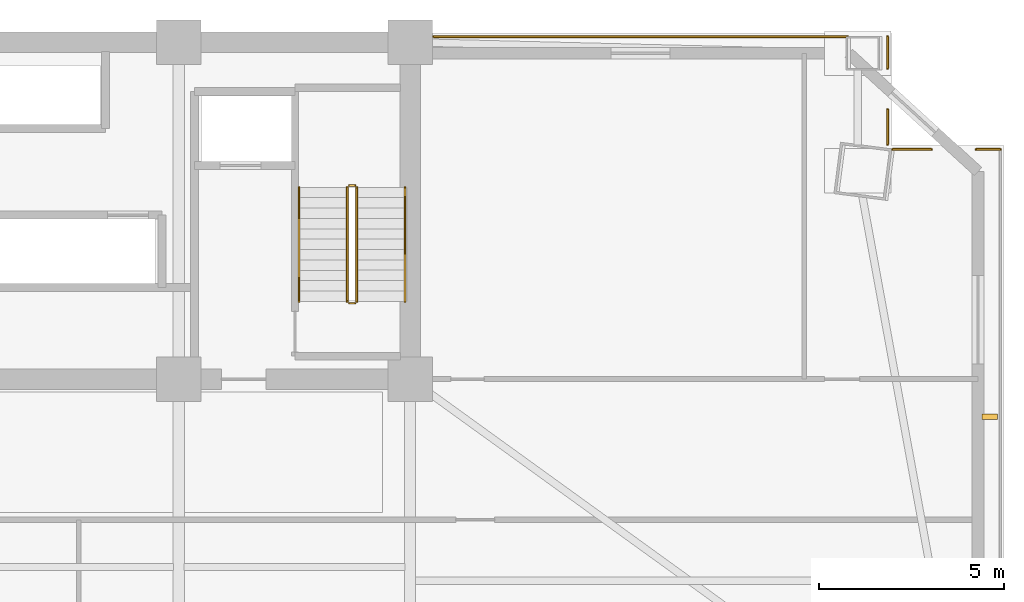
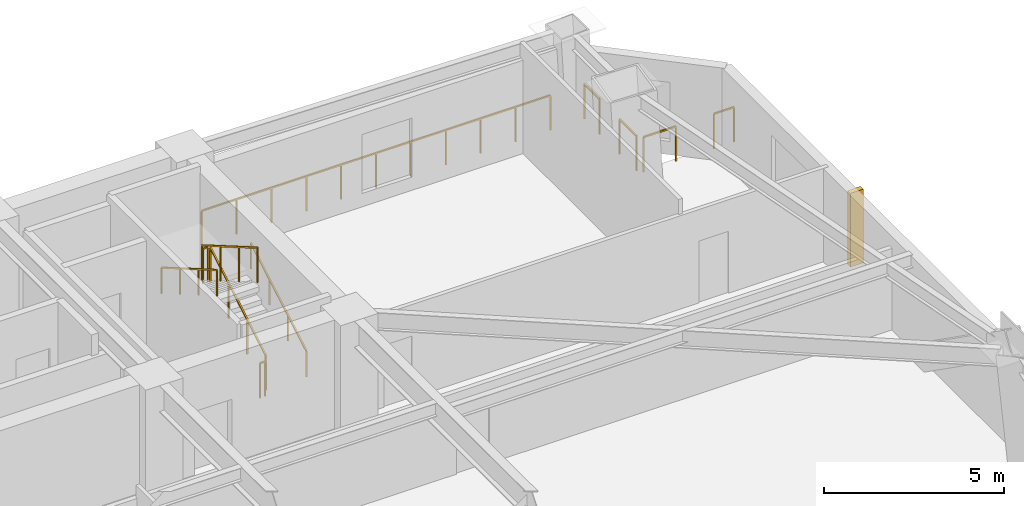
# One storey, part 15 of 15: 11 railings, 1 shading device.
"""IFC4 building model written with IfcOpenShell, lengths in metres."""

from ifc_helpers import new_model, si_unit, direction, frame, origin, origin_2d, place, context, subcontext, project, spatial, rectangle, extrude, source, transform, mapped, material, type_object, element, save


model = new_model("IFC4")

# Units and contexts
model_context = context("Model", 3, precision=1e-05, world=origin(), true_north=direction((0.0, 1.0)))
body_context = subcontext(model_context, "Body", "Model", "MODEL_VIEW")
ifc_project = project(units=[si_unit("LENGTHUNIT", "METRE"), si_unit("AREAUNIT", "SQUARE_METRE"), si_unit("VOLUMEUNIT", "CUBIC_METRE"), si_unit("PLANEANGLEUNIT", "RADIAN"), si_unit("MASSUNIT", "GRAM", prefix="KILO")], contexts=[model_context])

# Site, building, storey
site_placement = place(None, origin())
site = spatial("IfcSite", under=ifc_project, at=site_placement, CompositionType="ELEMENT")
building_placement = place(site_placement, origin())
building = spatial("IfcBuilding", under=site, at=building_placement, Name="Giltprow Tower", CompositionType="ELEMENT")
storey_placement = place(building_placement, frame((0.0, 0.0, 107.5)))
storey = spatial("IfcBuildingStorey", under=building, at=storey_placement, Name="L26", CompositionType="ELEMENT", Elevation=107.5)

# Railings
ifc_material = material(Name="Anodized bronze", Category="metal")
railing_type_1 = type_object("IfcRailingType", Name="RAIL-BALC-GUARD-1200", PredefinedType="BALUSTRADE", material=ifc_material)
railing_1_placement = place(storey_placement, frame((51.18505859375, 46.698974609375, 0.0)))
element("IfcRailing", 1, at=railing_1_placement, inside=storey, type_object=railing_type_1, Name="L26 Corner Apron Edge Balustrade 11", PredefinedType="BALUSTRADE", context=body_context, shape_type="SweptSolid", body=[
    extrude(rectangle(XDim=0.048095703125, YDim=0.048095703125, at=origin_2d()), frame((0.0, 0.0, 1.17578125), z_axis=(1.0, 0.0, 0.0), x_axis=(0.0, 1.0, 0.0)), (0.0, 0.0, 1.0), 11.177978515625),
    extrude(rectangle(XDim=0.0419921875, YDim=0.0419921875, at=origin_2d()), origin(), (0.0, 0.0, 1.0), 1.15185546875),
    extrude(rectangle(XDim=0.0419921875, YDim=0.0419921875, at=origin_2d()), frame((1.11767578125, 0.0, 0.0)), (0.0, 0.0, 1.0), 1.15185546875),
    extrude(rectangle(XDim=0.0419921875, YDim=0.0419921875, at=origin_2d()), frame((2.235595703125, 0.0, 0.0)), (0.0, 0.0, 1.0), 1.15185546875),
    extrude(rectangle(XDim=0.0419921875, YDim=0.0419921875, at=origin_2d()), frame((3.353515625, 0.0, 0.0)), (0.0, 0.0, 1.0), 1.15185546875),
    extrude(rectangle(XDim=0.0419921875, YDim=0.0419921875, at=origin_2d()), frame((4.47119140625, 0.0, 0.0)), (0.0, 0.0, 1.0), 1.15185546875),
    extrude(rectangle(XDim=0.0419921875, YDim=0.0419921875, at=origin_2d()), frame((5.5888671875, 0.0, 0.0)), (0.0, 0.0, 1.0), 1.15185546875),
    extrude(rectangle(XDim=0.0419921875, YDim=0.0419921875, at=origin_2d()), frame((6.706787109375, 0.0, 0.0)), (0.0, 0.0, 1.0), 1.15185546875),
    extrude(rectangle(XDim=0.0419921875, YDim=0.0419921875, at=origin_2d()), frame((7.824462890625, 0.0, 0.0)), (0.0, 0.0, 1.0), 1.15185546875),
    extrude(rectangle(XDim=0.0419921875, YDim=0.0419921875, at=origin_2d()), frame((8.9423828125, 0.0, 0.0)), (0.0, 0.0, 1.0), 1.15185546875),
    extrude(rectangle(XDim=0.0419921875, YDim=0.0419921875, at=origin_2d()), frame((10.06005859375, 0.0, 0.0)), (0.0, 0.0, 1.0), 1.15185546875),
    extrude(rectangle(XDim=0.0419921875, YDim=0.0419921875, at=origin_2d()), frame((11.177978515625, 0.0, 0.0)), (0.0, 0.0, 1.0), 1.15185546875),
])
railing_2_placement = place(storey_placement, frame((63.447998046875, 46.698974609375, 0.0)))
element("IfcRailing", 2, at=railing_2_placement, inside=storey, type_object=railing_type_1, Name="L26 Corner Apron Edge Balustrade 12", PredefinedType="BALUSTRADE", context=body_context, shape_type="SweptSolid", body=[
    extrude(rectangle(XDim=0.048095703125, YDim=0.048095703125, at=origin_2d()), frame((0.0, 0.0, 1.17578125), z_axis=(0.0, -1.0, 0.0), x_axis=(1.0, 0.0, 0.0)), (0.0, 0.0, 1.0), 0.85400390625),
    extrude(rectangle(XDim=0.0419921875, YDim=0.0419921875, at=origin_2d()), origin(), (0.0, 0.0, 1.0), 1.15185546875),
    extrude(rectangle(XDim=0.0419921875, YDim=0.0419921875, at=origin_2d()), frame((0.0, -0.85400390625, 0.0)), (0.0, 0.0, 1.0), 1.15185546875),
])
railing_3_placement = place(storey_placement, frame((63.447998046875, 44.73388671875, 0.0)))
element("IfcRailing", 3, at=railing_3_placement, inside=storey, type_object=railing_type_1, Name="L26 Corner Apron Edge Balustrade 13", PredefinedType="BALUSTRADE", context=body_context, shape_type="SweptSolid", body=[
    extrude(rectangle(XDim=0.048095703125, YDim=0.048095703125, at=origin_2d()), frame((0.0, 0.0, 1.17578125), z_axis=(0.0, -1.0, 0.0), x_axis=(1.0, 0.0, 0.0)), (0.0, 0.0, 1.0), 0.94287109375),
    extrude(rectangle(XDim=0.0419921875, YDim=0.0419921875, at=origin_2d()), origin(), (0.0, 0.0, 1.0), 1.15185546875),
    extrude(rectangle(XDim=0.0419921875, YDim=0.0419921875, at=origin_2d()), frame((0.0, -0.94287109375, 0.0)), (0.0, 0.0, 1.0), 1.15185546875),
])
railing_4_placement = place(storey_placement, frame((63.5830078125, 43.656005859375, 0.0)))
element("IfcRailing", 4, at=railing_4_placement, inside=storey, type_object=railing_type_1, Name="L26 Corner Apron Edge Balustrade 14", PredefinedType="BALUSTRADE", context=body_context, shape_type="SweptSolid", body=[
    extrude(rectangle(XDim=0.048095703125, YDim=0.048095703125, at=origin_2d()), frame((0.0, 0.0, 1.17578125), z_axis=(1.0, 0.0, 0.0), x_axis=(0.0, 1.0, 0.0)), (0.0, 0.0, 1.0), 1.0439453125),
    extrude(rectangle(XDim=0.0419921875, YDim=0.0419921875, at=origin_2d()), origin(), (0.0, 0.0, 1.0), 1.15185546875),
    extrude(rectangle(XDim=0.0419921875, YDim=0.0419921875, at=origin_2d()), frame((1.0439453125, 0.0, 0.0)), (0.0, 0.0, 1.0), 1.15185546875),
])
railing_5_placement = place(storey_placement, frame((65.842041015625, 43.656005859375, 0.0)))
element("IfcRailing", 5, at=railing_5_placement, inside=storey, type_object=railing_type_1, Name="L26 Corner Apron Edge Balustrade 15", PredefinedType="BALUSTRADE", context=body_context, shape_type="SweptSolid", body=[
    extrude(rectangle(XDim=0.048095703125, YDim=0.048095703125, at=origin_2d()), frame((0.0, 0.0, 1.17578125), z_axis=(1.0, 0.0, 0.0), x_axis=(0.0, 1.0, 0.0)), (0.0, 0.0, 1.0), 0.64892578125),
    extrude(rectangle(XDim=0.0419921875, YDim=0.0419921875, at=origin_2d()), origin(), (0.0, 0.0, 1.0), 1.15185546875),
    extrude(rectangle(XDim=0.0419921875, YDim=0.0419921875, at=origin_2d()), frame((0.64892578125, 0.0, 0.0)), (0.0, 0.0, 1.0), 1.15185546875),
])
railing_type_2 = type_object("IfcRailingType", Name="RAIL-STAIR-GUARD-1200", PredefinedType="GUARDRAIL", material=ifc_material)
railing_6_placement = place(storey_placement, frame((49.110107421875, 39.550048828125, 0.16259765625)))
element("IfcRailing", 6, at=railing_6_placement, inside=storey, type_object=railing_type_2, Name="L26 ST-3 stair guard 1", PredefinedType="GUARDRAIL", context=body_context, shape_type="SweptSolid", body=[
    extrude(rectangle(XDim=0.048095703125, YDim=0.048095703125, at=origin_2d()), frame((0.0, 0.0, 1.17578125), z_axis=(0.0, 0.864903211148, 0.501938676878), x_axis=(-1.0, 0.0, 0.0)), (0.0, 0.0, 1.0), 3.560791015625),
    extrude(rectangle(XDim=0.0419921875, YDim=0.0419921875, at=origin_2d()), origin(), (0.0, 0.0, 1.0), 1.15185546875),
    extrude(rectangle(XDim=0.0419921875, YDim=0.0419921875, at=origin_2d()), frame((0.0, 1.026611328125, 0.595703125)), (0.0, 0.0, 1.0), 1.15185546875),
    extrude(rectangle(XDim=0.0419921875, YDim=0.0419921875, at=origin_2d()), frame((0.0, 2.05322265625, 1.191650390625)), (0.0, 0.0, 1.0), 1.15185546875),
    extrude(rectangle(XDim=0.0419921875, YDim=0.0419921875, at=origin_2d()), frame((0.0, 3.079833984375, 1.787353515625)), (0.0, 0.0, 1.0), 1.15185546875),
])
railing_7_placement = place(storey_placement, frame((49.06005859375, 42.679931640625, 1.949951171875)))
element("IfcRailing", 7, at=railing_7_placement, inside=storey, type_object=railing_type_2, Name="L26 ST-3 stair guard 2", PredefinedType="GUARDRAIL", context=body_context, shape_type="SweptSolid", body=[
    extrude(rectangle(XDim=0.048095703125, YDim=0.048095703125, at=origin_2d()), frame((0.0, 0.0, 1.17578125), z_axis=(-1.0, 0.0, 0.0), x_axis=(0.0, -1.0, 0.0)), (0.0, 0.0, 1.0), 0.16015625),
    extrude(rectangle(XDim=0.0419921875, YDim=0.0419921875, at=origin_2d()), origin(), (0.0, 0.0, 1.0), 1.15185546875),
    extrude(rectangle(XDim=0.0419921875, YDim=0.0419921875, at=origin_2d()), frame((-0.16015625, 0.0, 0.0)), (0.0, 0.0, 1.0), 1.15185546875),
])
railing_8_placement = place(storey_placement, frame((48.85009765625, 42.6298828125, 2.112548828125)))
element("IfcRailing", 8, at=railing_8_placement, inside=storey, type_object=railing_type_2, Name="L26 ST-3 stair guard 3", PredefinedType="GUARDRAIL", context=body_context, shape_type="SweptSolid", body=[
    extrude(rectangle(XDim=0.048095703125, YDim=0.048095703125, at=origin_2d()), frame((0.0, 0.0, 1.17578125), z_axis=(0.0, -0.864903211148, 0.501938676878), x_axis=(1.0, 0.0, 0.0)), (0.0, 0.0, 1.0), 3.560791015625),
    extrude(rectangle(XDim=0.0419921875, YDim=0.0419921875, at=origin_2d()), origin(), (0.0, 0.0, 1.0), 1.15185546875),
    extrude(rectangle(XDim=0.0419921875, YDim=0.0419921875, at=origin_2d()), frame((0.0, -1.026611328125, 0.595703125)), (0.0, 0.0, 1.0), 1.15185546875),
    extrude(rectangle(XDim=0.0419921875, YDim=0.0419921875, at=origin_2d()), frame((0.0, -2.05322265625, 1.191650390625)), (0.0, 0.0, 1.0), 1.15185546875),
    extrude(rectangle(XDim=0.0419921875, YDim=0.0419921875, at=origin_2d()), frame((0.0, -3.079833984375, 1.787353515625)), (0.0, 0.0, 1.0), 1.15185546875),
])
railing_9_placement = place(storey_placement, frame((49.06005859375, 39.5, 0.0)))
element("IfcRailing", 9, at=railing_9_placement, inside=storey, type_object=railing_type_2, Name="L26 ST-3 stair guard 4", PredefinedType="GUARDRAIL", context=body_context, shape_type="SweptSolid", body=[
    extrude(rectangle(XDim=0.048095703125, YDim=0.048095703125, at=origin_2d()), frame((0.0, 0.0, 1.17578125), z_axis=(-1.0, 0.0, 0.0), x_axis=(0.0, -1.0, 0.0)), (0.0, 0.0, 1.0), 0.16015625),
    extrude(rectangle(XDim=0.0419921875, YDim=0.0419921875, at=origin_2d()), origin(), (0.0, 0.0, 1.0), 1.15185546875),
    extrude(rectangle(XDim=0.0419921875, YDim=0.0419921875, at=origin_2d()), frame((-0.16015625, 0.0, 0.0)), (0.0, 0.0, 1.0), 1.15185546875),
])
railing_type_3 = type_object("IfcRailingType", Name="RAIL-STAIR-HAND-900", PredefinedType="HANDRAIL", material=ifc_material)
railing_10_placement = place(storey_placement, frame((50.409912109375, 39.550048828125, 0.16259765625)))
element("IfcRailing", 10, at=railing_10_placement, inside=storey, type_object=railing_type_3, Name="L26 ST-3 stair handrail 1", PredefinedType="HANDRAIL", context=body_context, shape_type="SweptSolid", body=[
    extrude(rectangle(XDim=0.048095703125, YDim=0.048095703125, at=origin_2d()), frame((0.0, 0.0, 0.8759765625), z_axis=(0.0, 0.864903211148, 0.501938676878), x_axis=(-1.0, 0.0, 0.0)), (0.0, 0.0, 1.0), 3.560791015625),
    extrude(rectangle(XDim=0.0419921875, YDim=0.0419921875, at=origin_2d()), origin(), (0.0, 0.0, 1.0), 0.851806640625),
    extrude(rectangle(XDim=0.0419921875, YDim=0.0419921875, at=origin_2d()), frame((0.0, 1.026611328125, 0.595703125)), (0.0, 0.0, 1.0), 0.851806640625),
    extrude(rectangle(XDim=0.0419921875, YDim=0.0419921875, at=origin_2d()), frame((0.0, 2.05322265625, 1.191650390625)), (0.0, 0.0, 1.0), 0.851806640625),
    extrude(rectangle(XDim=0.0419921875, YDim=0.0419921875, at=origin_2d()), frame((0.0, 3.079833984375, 1.787353515625)), (0.0, 0.0, 1.0), 0.851806640625),
])
railing_11_placement = place(storey_placement, frame((47.550048828125, 42.6298828125, 2.112548828125)))
element("IfcRailing", 11, at=railing_11_placement, inside=storey, type_object=railing_type_3, Name="L26 ST-3 stair handrail 2", PredefinedType="HANDRAIL", context=body_context, shape_type="SweptSolid", body=[
    extrude(rectangle(XDim=0.048095703125, YDim=0.048095703125, at=origin_2d()), frame((0.0, 0.0, 0.8759765625), z_axis=(0.0, -0.864903211148, 0.501938676878), x_axis=(1.0, 0.0, 0.0)), (0.0, 0.0, 1.0), 3.560791015625),
    extrude(rectangle(XDim=0.0419921875, YDim=0.0419921875, at=origin_2d()), origin(), (0.0, 0.0, 1.0), 0.851806640625),
    extrude(rectangle(XDim=0.0419921875, YDim=0.0419921875, at=origin_2d()), frame((0.0, -1.026611328125, 0.595703125)), (0.0, 0.0, 1.0), 0.851806640625),
    extrude(rectangle(XDim=0.0419921875, YDim=0.0419921875, at=origin_2d()), frame((0.0, -2.05322265625, 1.191650390625)), (0.0, 0.0, 1.0), 0.851806640625),
    extrude(rectangle(XDim=0.0419921875, YDim=0.0419921875, at=origin_2d()), frame((0.0, -3.079833984375, 1.787353515625)), (0.0, 0.0, 1.0), 0.851806640625),
])

# Shading device
shading_device_type = type_object("IfcShadingDeviceType", Name="SHD-FIN-420", PredefinedType="USERDEFINED", material=ifc_material)
shared_shape = source(origin(), body_context, "Body", "SweptSolid", [
    extrude(rectangle(XDim=0.419921875, YDim=0.159912109375, at=origin_2d()), origin(), (0.0, 0.0, 1.0), 2.5),
])
shading_device_placement = place(storey_placement, frame((66.2109375, 36.431884765625, 0.35009765625), z_axis=(0.0, 0.0, 1.0), x_axis=(1.0, 0.0, 0.0)))
element("IfcShadingDevice", 12, at=shading_device_placement, inside=storey, type_object=shading_device_type, Name="L26 E Bronze Vertical Fin 2-1", ObjectType="FIN", PredefinedType="USERDEFINED", context=body_context, shape_type="MappedRepresentation", body=[
    mapped(shared_shape, transform((0.0, 0.0, 0.0), x_axis=(1.0, 0.0, 0.0), y_axis=(0.0, 1.0, 0.0), z_axis=(0.0, 0.0, 1.0), scale=1.0)),
])

save(model, "model.ifc")
